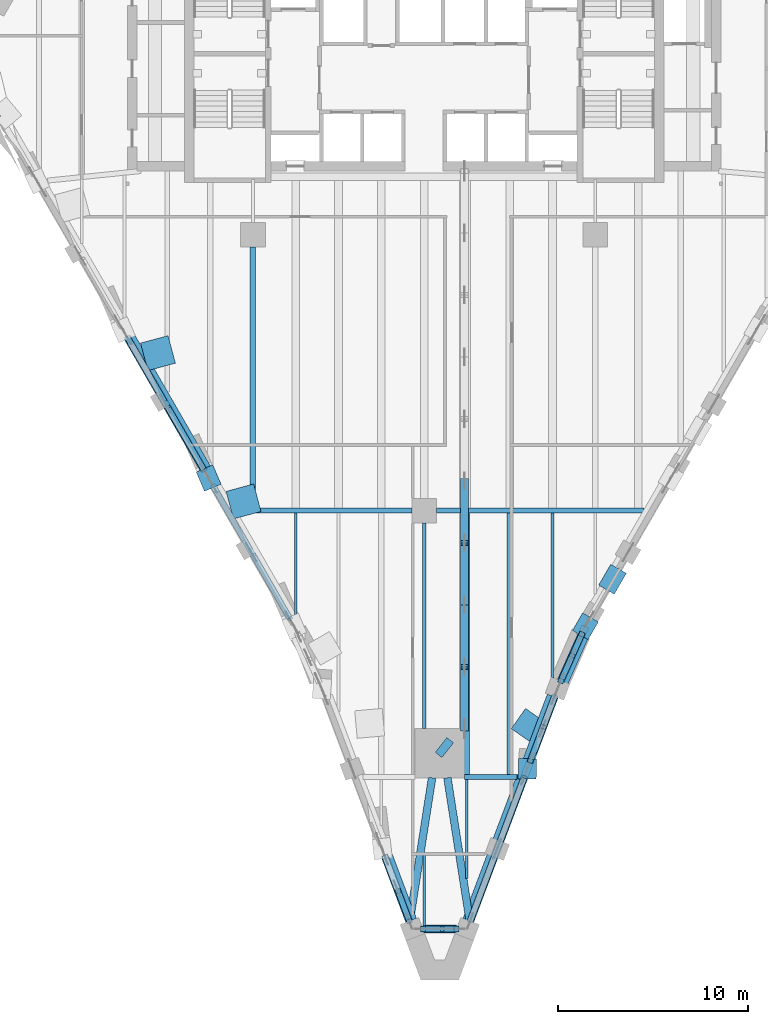
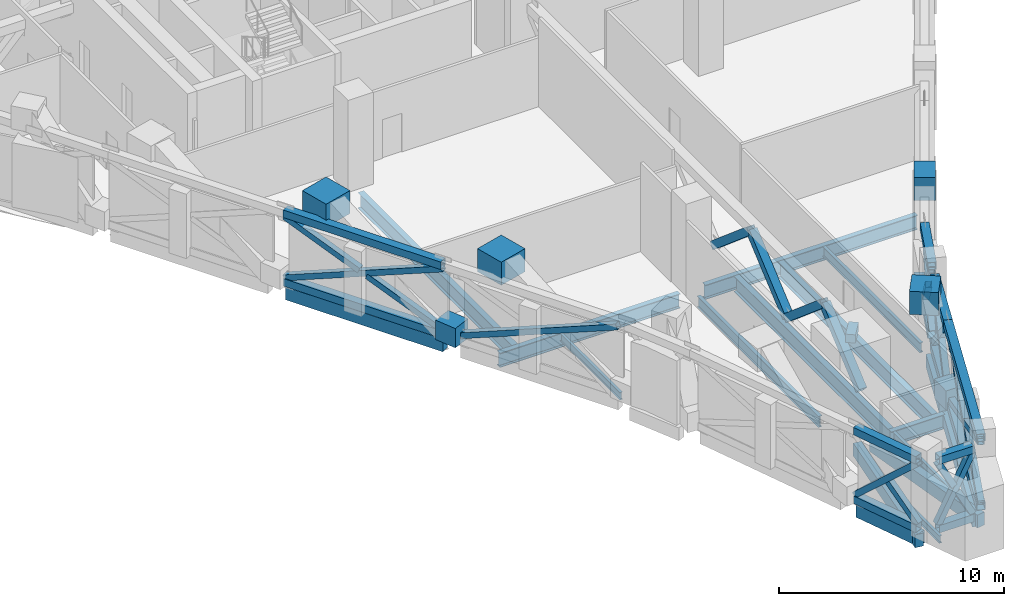
# One storey, part 2 of 22: 34 members, 26 beams.
"""IFC4 building model written with IfcOpenShell, lengths in metres."""

from ifc_helpers import new_model, si_unit, direction, frame, origin, origin_2d, place, context, subcontext, project, spatial, rectangle, hollow_rectangle, i_section, extrude, material, material_profile, profile_set, type_object, element, save


model = new_model("IFC4")

# Units and contexts
model_context = context("Model", 3, precision=1e-05, world=origin(), true_north=direction((0.0, 1.0)))
body_context = subcontext(model_context, "Body", "Model", "MODEL_VIEW")
ifc_project = project(units=[si_unit("LENGTHUNIT", "METRE"), si_unit("AREAUNIT", "SQUARE_METRE"), si_unit("VOLUMEUNIT", "CUBIC_METRE"), si_unit("PLANEANGLEUNIT", "RADIAN"), si_unit("MASSUNIT", "GRAM", prefix="KILO")], contexts=[model_context])

# Site, building, storey
site_placement = place(None, origin())
site = spatial("IfcSite", under=ifc_project, at=site_placement, CompositionType="ELEMENT")
building_placement = place(site_placement, origin())
building = spatial("IfcBuilding", under=site, at=building_placement, Name="Calabash Gate Tower", CompositionType="ELEMENT")
storey_placement = place(building_placement, frame((0.0, 0.0, 191.39990234375)))
storey = spatial("IfcBuildingStorey", under=building, at=storey_placement, Name="L45", CompositionType="ELEMENT", Elevation=191.39990234375)

# Members
ifc_material_1 = material(Name="Steel ASTM A500 Gr C", Category="steel")
ifc_material_profile_1 = material_profile(ifc_material_1, hollow_rectangle(XDim=0.406494140625, YDim=0.406494140625, WallThickness=0.015869140625, at=origin_2d()))
ifc_profile_set_1 = profile_set([ifc_material_profile_1], Name="Steel ASTM A500 Gr C")
member_type_1 = type_object("IfcMemberType", Name="Belt truss chord HSS16X16X.625 ASTM A500 Gr C", PredefinedType="CHORD", material=ifc_profile_set_1)
for number, where, z_axis, x_axis, name in (
    (1, (-2.044921875, -30.204833984375, 0.203369140625), (0.351829371284, -0.936064150314, 0.0), (0.936064150314, 0.351829371284, 0.0), "Belt chord L45 16"),
    (2, (-2.044921875, -30.204833984375, 3.927001953125), (0.351829371284, -0.936064150314, 0.0), (0.936064150314, 0.351829371284, 0.0), "Belt chord L45 17"),
):
    element("IfcMember", number, at=place(storey_placement, frame(where, z_axis=z_axis, x_axis=x_axis)), inside=storey, type_object=member_type_1, Name=name, PredefinedType="CHORD", context=body_context, shape_type="SweptSolid", body=[
        extrude(hollow_rectangle(XDim=0.406494140625, YDim=0.406494140625, WallThickness=0.015869140625, at=origin_2d()), origin(), (0.0, 0.0, 1.0), 3.60009765625),
    ])
for number, where, z_axis, x_axis, name in (
    (3, (-0.05908203125, -33.99609375, 0.203369140625), (1.0, 0.0, 0.0), (0.0, 1.0, 0.0), "Belt chord L45 21"),
    (4, (-0.05908203125, -33.99609375, 3.927001953125), (1.0, 0.0, 0.0), (0.0, 1.0, 0.0), "Belt chord L45 22"),
):
    element("IfcMember", number, at=place(storey_placement, frame(where, z_axis=z_axis, x_axis=x_axis)), inside=storey, type_object=member_type_1, Name=name, PredefinedType="CHORD", context=body_context, shape_type="SweptSolid", body=[
        extrude(hollow_rectangle(XDim=0.406494140625, YDim=0.406494140625, WallThickness=0.015869140625, at=origin_2d()), origin(), (0.0, 0.0, 1.0), 1.761962890625),
    ])
member_1_placement = place(storey_placement, frame((2.422119140625, -33.57470703125, 0.203369140625), z_axis=(0.351810405793, 0.93607127847, 0.0), x_axis=(-0.93607127847, 0.351810405793, 0.0)))
element("IfcMember", 5, at=member_1_placement, inside=storey, type_object=member_type_1, Name="Belt chord L45 26", PredefinedType="CHORD", context=body_context, shape_type="SweptSolid", body=[
    extrude(hollow_rectangle(XDim=0.406494140625, YDim=0.406494140625, WallThickness=0.015869140625, at=origin_2d()), origin(), (0.0, 0.0, 1.0), 8.099853515625),
])
member_2_placement = place(storey_placement, frame((2.422119140625, -33.57470703125, 3.927001953125), z_axis=(0.351717458134, 0.936106206391, 0.0), x_axis=(-0.936106206391, 0.351717458134, 0.0)))
element("IfcMember", 6, at=member_2_placement, inside=storey, type_object=member_type_1, Name="Belt chord L45 27", PredefinedType="CHORD", context=body_context, shape_type="SweptSolid", body=[
    extrude(hollow_rectangle(XDim=0.406494140625, YDim=0.406494140625, WallThickness=0.015869140625, at=origin_2d()), origin(), (0.0, 0.0, 1.0), 9.007080078125),
])
for number, where, z_axis, x_axis, name in (
    (7, (5.58837890625, -25.150146484375, 0.203369140625), (0.351829371284, 0.936064150314, 0.0), (-0.936064150314, 0.351829371284, 0.0), "Belt chord L45 31"),
    (8, (5.58837890625, -25.150146484375, 3.927001953125), (0.351829371284, 0.936064150314, 0.0), (-0.936064150314, 0.351829371284, 0.0), "Belt chord L45 32"),
):
    element("IfcMember", number, at=place(storey_placement, frame(where, z_axis=z_axis, x_axis=x_axis)), inside=storey, type_object=member_type_1, Name=name, PredefinedType="CHORD", context=body_context, shape_type="SweptSolid", body=[
        extrude(hollow_rectangle(XDim=0.406494140625, YDim=0.406494140625, WallThickness=0.015869140625, at=origin_2d()), origin(), (0.0, 0.0, 1.0), 3.60009765625),
    ])
member_3_placement = place(storey_placement, frame((7.196533203125, -20.947265625, 0.203369140625), z_axis=(0.40658580968, 0.913612598078, 0.0), x_axis=(-0.913612598078, 0.40658580968, 0.0)))
element("IfcMember", 9, at=member_3_placement, inside=storey, type_object=member_type_1, Name="Belt chord L45 36", PredefinedType="CHORD", context=body_context, shape_type="SweptSolid", body=[
    extrude(hollow_rectangle(XDim=0.406494140625, YDim=0.406494140625, WallThickness=0.015869140625, at=origin_2d()), origin(), (0.0, 0.0, 1.0), 2.68359375),
])
member_4_placement = place(storey_placement, frame((7.196533203125, -20.947265625, 3.927001953125), z_axis=(0.406751385302, 0.913538893838, 0.0), x_axis=(-0.913538893838, 0.406751385302, 0.0)))
element("IfcMember", 10, at=member_4_placement, inside=storey, type_object=member_type_1, Name="Belt chord L45 37", PredefinedType="CHORD", context=body_context, shape_type="SweptSolid", body=[
    extrude(hollow_rectangle(XDim=0.406494140625, YDim=0.406494140625, WallThickness=0.015869140625, at=origin_2d()), origin(), (0.0, 0.0, 1.0), 3.140869140625),
])
for number, where, z_axis, x_axis, name in (
    (11, (-15.60302734375, -2.883544921875, 0.203369140625), (0.500012932018, -0.866017937352, 0.0), (0.866017937352, 0.500012932018, 0.0), "Belt chord L45 101"),
    (12, (-15.60302734375, -2.883544921875, 3.927001953125), (0.500012932018, -0.866017937352, 0.0), (0.866017937352, 0.500012932018, 0.0), "Belt chord L45 102"),
):
    element("IfcMember", number, at=place(storey_placement, frame(where, z_axis=z_axis, x_axis=x_axis)), inside=storey, type_object=member_type_1, Name=name, PredefinedType="CHORD", context=body_context, shape_type="SweptSolid", body=[
        extrude(hollow_rectangle(XDim=0.406494140625, YDim=0.406494140625, WallThickness=0.015869140625, at=origin_2d()), origin(), (0.0, 0.0, 1.0), 8.099853515625),
    ])
ifc_material_2 = material(Name="Steel ASTM A500 Gr C", Category="steel")
ifc_material_profile_2 = material_profile(ifc_material_2, hollow_rectangle(XDim=0.3046875, YDim=0.3046875, WallThickness=0.0126953125, at=origin_2d()))
ifc_profile_set_2 = profile_set([ifc_material_profile_2], Name="Steel ASTM A500 Gr C")
member_type_2 = type_object("IfcMemberType", Name="Belt truss diagonal HSS12X12X.500 ASTM A500 Gr C", PredefinedType="BRACE", material=ifc_profile_set_2)
member_5_placement = place(storey_placement, frame((-11.10302734375, -10.677734375, 0.406494140625), z_axis=(0.462704041468, -0.801427163994, 0.378971596325), x_axis=(0.866025472755, 0.499999880539, 0.0)))
element("IfcMember", 13, at=member_5_placement, inside=storey, type_object=member_type_2, Name="Belt diagonal L45 3", PredefinedType="BRACE", context=body_context, shape_type="SweptSolid", body=[
    extrude(hollow_rectangle(XDim=0.3046875, YDim=0.3046875, WallThickness=0.0126953125, at=origin_2d()), origin(), (0.0, 0.0, 1.0), 8.7529296875),
])
member_6_placement = place(storey_placement, frame((-2.044921875, -30.204833984375, 0.406494140625), z_axis=(0.258739529961, -0.688392777959, 0.677620276326), x_axis=(0.936064150314, 0.351829371284, 0.0)))
element("IfcMember", 14, at=member_6_placement, inside=storey, type_object=member_type_2, Name="Belt diagonal L45 18", PredefinedType="BRACE", context=body_context, shape_type="SweptSolid", body=[
    extrude(hollow_rectangle(XDim=0.3046875, YDim=0.3046875, WallThickness=0.0126953125, at=origin_2d()), origin(), (0.0, 0.0, 1.0), 4.895263671875),
])
member_7_placement = place(storey_placement, frame((-1.3720703125, -31.9951171875, 1.96142578125), z_axis=(0.258753151157, -0.688377009862, -0.677631093634), x_axis=(0.936055395939, 0.351852661967, 0.0)))
element("IfcMember", 15, at=member_7_placement, inside=storey, type_object=member_type_2, Name="Belt diagonal (split) L45 20 half 2 of 2", PredefinedType="BRACE", context=body_context, shape_type="SweptSolid", body=[
    extrude(hollow_rectangle(XDim=0.3046875, YDim=0.3046875, WallThickness=0.0126953125, at=origin_2d()), origin(), (0.0, 0.0, 1.0), 2.294677734375),
])
member_8_placement = place(storey_placement, frame((-0.05908203125, -33.99609375, 0.406494140625), z_axis=(0.46909978011, 0.0, 0.883145172835), x_axis=(0.0, 1.0, 0.0)))
element("IfcMember", 16, at=member_8_placement, inside=storey, type_object=member_type_2, Name="Belt diagonal L45 23", PredefinedType="BRACE", context=body_context, shape_type="SweptSolid", body=[
    extrude(hollow_rectangle(XDim=0.3046875, YDim=0.3046875, WallThickness=0.0126953125, at=origin_2d()), origin(), (0.0, 0.0, 1.0), 3.756103515625),
])
for number, where, z_axis, x_axis, name in (
    (17, (-0.05908203125, -33.99609375, 3.7236328125), (0.469099027282, 0.0, -0.883145572713), (0.0, 1.0, 0.0), "Belt diagonal (split) L45 24 half 1 of 2"),
    (18, (0.908203125, -33.99609375, 1.902587890625), (0.469099027282, 0.0, -0.883145572713), (0.0, 1.0, 0.0), "Belt diagonal (split) L45 25 half 2 of 2"),
):
    element("IfcMember", number, at=place(storey_placement, frame(where, z_axis=z_axis, x_axis=x_axis)), inside=storey, type_object=member_type_2, Name=name, PredefinedType="BRACE", context=body_context, shape_type="SweptSolid", body=[
        extrude(hollow_rectangle(XDim=0.3046875, YDim=0.3046875, WallThickness=0.0126953125, at=origin_2d()), origin(), (0.0, 0.0, 1.0), 1.694091796875),
    ])
member_9_placement = place(storey_placement, frame((2.422119140625, -33.57470703125, 0.406494140625), z_axis=(0.325566795017, 0.866244207167, 0.378981840636), x_axis=(-0.93607127847, 0.351810405793, 0.0)))
element("IfcMember", 19, at=member_9_placement, inside=storey, type_object=member_type_2, Name="Belt diagonal L45 28", PredefinedType="BRACE", context=body_context, shape_type="SweptSolid", body=[
    extrude(hollow_rectangle(XDim=0.3046875, YDim=0.3046875, WallThickness=0.0126953125, at=origin_2d()), origin(), (0.0, 0.0, 1.0), 8.752685546875),
])
for number, where, z_axis, x_axis, name in (
    (20, (2.422119140625, -33.57470703125, 3.7236328125), (0.325556107946, 0.866251620078, -0.378974077334), (-0.936076072988, 0.351797648627, 0.0), "Belt diagonal (split) L45 29 half 1 of 2"),
    (21, (3.917724609375, -29.595458984375, 1.982666015625), (0.325556107946, 0.866251620078, -0.378974077334), (-0.936076072988, 0.351797648627, 0.0), "Belt diagonal (split) L45 30 half 2 of 2"),
):
    element("IfcMember", number, at=place(storey_placement, frame(where, z_axis=z_axis, x_axis=x_axis)), inside=storey, type_object=member_type_2, Name=name, PredefinedType="BRACE", context=body_context, shape_type="SweptSolid", body=[
        extrude(hollow_rectangle(XDim=0.3046875, YDim=0.3046875, WallThickness=0.0126953125, at=origin_2d()), origin(), (0.0, 0.0, 1.0), 4.158935546875),
    ])
member_10_placement = place(storey_placement, frame((5.58837890625, -25.150146484375, 0.406494140625), z_axis=(0.258739529961, 0.688392777959, 0.677620276326), x_axis=(-0.936064150314, 0.351829371284, 0.0)))
element("IfcMember", 22, at=member_10_placement, inside=storey, type_object=member_type_2, Name="Belt diagonal L45 33", PredefinedType="BRACE", context=body_context, shape_type="SweptSolid", body=[
    extrude(hollow_rectangle(XDim=0.3046875, YDim=0.3046875, WallThickness=0.0126953125, at=origin_2d()), origin(), (0.0, 0.0, 1.0), 4.895263671875),
])
for number, where, z_axis, x_axis, name in (
    (23, (5.58837890625, -25.150146484375, 3.7236328125), (0.258753151157, 0.688377009862, -0.677631093634), (-0.936055395939, 0.351852661967, 0.0), "Belt diagonal (split) L45 34 half 1 of 2"),
    (24, (6.26123046875, -23.35986328125, 1.96142578125), (0.258753151157, 0.688377009862, -0.677631093634), (-0.936055395939, 0.351852661967, 0.0), "Belt diagonal (split) L45 35 half 2 of 2"),
):
    element("IfcMember", number, at=place(storey_placement, frame(where, z_axis=z_axis, x_axis=x_axis)), inside=storey, type_object=member_type_2, Name=name, PredefinedType="BRACE", context=body_context, shape_type="SweptSolid", body=[
        extrude(hollow_rectangle(XDim=0.3046875, YDim=0.3046875, WallThickness=0.0126953125, at=origin_2d()), origin(), (0.0, 0.0, 1.0), 2.294677734375),
    ])
member_11_placement = place(storey_placement, frame((7.196533203125, -20.947265625, 0.406494140625), z_axis=(0.255718064838, 0.574607475297, 0.777453870431), x_axis=(-0.913612598078, 0.40658580968, 0.0)))
element("IfcMember", 25, at=member_11_placement, inside=storey, type_object=member_type_2, Name="Belt diagonal L45 38", PredefinedType="BRACE", context=body_context, shape_type="SweptSolid", body=[
    extrude(hollow_rectangle(XDim=0.3046875, YDim=0.3046875, WallThickness=0.0126953125, at=origin_2d()), origin(), (0.0, 0.0, 1.0), 4.2666015625),
])
member_12_placement = place(storey_placement, frame((7.196533203125, -20.947265625, 3.7236328125), z_axis=(0.255812004266, 0.574589318463, -0.777436385553), x_axis=(-0.913552335617, 0.406721194542, 0.0)))
element("IfcMember", 26, at=member_12_placement, inside=storey, type_object=member_type_2, Name="Belt diagonal (split) L45 39 half 1 of 2", PredefinedType="BRACE", context=body_context, shape_type="SweptSolid", body=[
    extrude(hollow_rectangle(XDim=0.3046875, YDim=0.3046875, WallThickness=0.0126953125, at=origin_2d()), origin(), (0.0, 0.0, 1.0), 1.9775390625),
])
member_13_placement = place(storey_placement, frame((7.781982421875, -19.6318359375, 1.94384765625), z_axis=(0.255696616695, 0.574607462144, -0.777460934491), x_axis=(-0.913625261966, 0.406557352285, 0.0)))
element("IfcMember", 27, at=member_13_placement, inside=storey, type_object=member_type_2, Name="Belt diagonal (split) L45 40 half 2 of 2", PredefinedType="BRACE", context=body_context, shape_type="SweptSolid", body=[
    extrude(hollow_rectangle(XDim=0.3046875, YDim=0.3046875, WallThickness=0.0126953125, at=origin_2d()), origin(), (0.0, 0.0, 1.0), 1.977294921875),
])
member_14_placement = place(storey_placement, frame((-15.60302734375, -2.883544921875, 0.406494140625), z_axis=(0.462714384728, -0.801417186208, 0.378980067834), x_axis=(0.866017937352, 0.500012932018, 0.0)))
element("IfcMember", 28, at=member_14_placement, inside=storey, type_object=member_type_2, Name="Belt diagonal L45 103", PredefinedType="BRACE", context=body_context, shape_type="SweptSolid", body=[
    extrude(hollow_rectangle(XDim=0.3046875, YDim=0.3046875, WallThickness=0.0126953125, at=origin_2d()), origin(), (0.0, 0.0, 1.0), 8.752685546875),
])
for number, where, z_axis, x_axis, name in (
    (29, (-15.60302734375, -2.883544921875, 3.7236328125), (0.462725403696, -0.801419502304, -0.378961715878), (0.866013407032, 0.50002077841, 0.0), "Belt diagonal (split) L45 104 half 1 of 2"),
    (30, (-13.4775390625, -6.56494140625, 1.982666015625), (0.462725403696, -0.801419502304, -0.378961715878), (0.866013407032, 0.50002077841, 0.0), "Belt diagonal (split) L45 105 half 2 of 2"),
):
    element("IfcMember", number, at=place(storey_placement, frame(where, z_axis=z_axis, x_axis=x_axis)), inside=storey, type_object=member_type_2, Name=name, PredefinedType="BRACE", context=body_context, shape_type="SweptSolid", body=[
        extrude(hollow_rectangle(XDim=0.3046875, YDim=0.3046875, WallThickness=0.0126953125, at=origin_2d()), origin(), (0.0, 0.0, 1.0), 4.1591796875),
    ])

# Beams
ifc_material_3 = material(Name="Concrete C80/95", Category="concrete")
ifc_material_profile_3 = material_profile(ifc_material_3, rectangle(XDim=0.449951171875, YDim=0.449951171875, at=origin_2d()))
ifc_profile_set_3 = profile_set([ifc_material_profile_3], Name="Concrete C80/95")
beam_type_1 = type_object("IfcBeamType", Name="Column offset link RC 450x450 Concrete C80/95", PredefinedType="BEAM", material=ifc_profile_set_3)
beam_1_placement = place(storey_placement, frame((0.760009765625, -24.841064453125, 4.60400390625), z_axis=(0.61826800742, 0.785967347287, 0.0), x_axis=(-0.785967347287, 0.61826800742, 0.0)))
element("IfcBeam", 31, at=beam_1_placement, inside=storey, type_object=beam_type_1, Name="Column offset link L45 S", PredefinedType="BEAM", context=body_context, shape_type="SweptSolid", body=[
    extrude(rectangle(XDim=0.449951171875, YDim=0.449951171875, at=origin_2d()), origin(), (0.0, 0.0, 1.0), 0.989990234375),
])
ifc_material_4 = material(Name="Concrete C50/60", Category="concrete")
ifc_material_profile_4 = material_profile(ifc_material_4, rectangle(XDim=0.39990234375, YDim=0.699951171875, at=origin_2d()))
ifc_profile_set_4 = profile_set([ifc_material_profile_4], Name="Concrete C50/60")
beam_type_2 = type_object("IfcBeamType", Name="Edge beam RC 400x700 Concrete C50/60", PredefinedType="BEAM", material=ifc_profile_set_4)
beam_2_placement = place(storey_placement, frame((-15.429931640625, -2.782958984375, -0.52001953125), z_axis=(0.499986829629, -0.866033007568, 0.0), x_axis=(0.866033007568, 0.499986829629, 0.0)))
element("IfcBeam", 32, at=beam_2_placement, inside=storey, type_object=beam_type_2, Name="Edge beam L45 1", PredefinedType="BEAM", context=body_context, shape_type="SweptSolid", body=[
    extrude(rectangle(XDim=0.39990234375, YDim=0.699951171875, at=origin_2d()), origin(), (0.0, 0.0, 1.0), 8.100341796875),
])
beam_3_placement = place(storey_placement, frame((-1.85791015625, -30.133056640625, -0.52001953125), z_axis=(0.351799464193, -0.936075390657, 0.0), x_axis=(0.936075390657, 0.351799464193, 0.0)))
element("IfcBeam", 33, at=beam_3_placement, inside=storey, type_object=beam_type_2, Name="Edge beam L45 5", PredefinedType="BEAM", context=body_context, shape_type="SweptSolid", body=[
    extrude(rectangle(XDim=0.39990234375, YDim=0.699951171875, at=origin_2d()), origin(), (0.0, 0.0, 1.0), 3.60107421875),
])
for number, where, z_axis, x_axis, name in (
    (34, (-0.760009765625, -33.597900390625, -0.52001953125), (0.15427074215, 0.988028611993, 0.0), (-0.988028611993, 0.15427074215, 0.0), "Edge beam L45 6"),
    (35, (1.22412109375, -26.041015625, -0.52001953125), (0.15427074215, -0.988028611993, 0.0), (0.988028611993, 0.15427074215, 0.0), "Edge beam L45 7"),
):
    element("IfcBeam", number, at=place(storey_placement, frame(where, z_axis=z_axis, x_axis=x_axis)), inside=storey, type_object=beam_type_2, Name=name, PredefinedType="BEAM", context=body_context, shape_type="SweptSolid", body=[
        extrude(rectangle(XDim=0.39990234375, YDim=0.699951171875, at=origin_2d()), origin(), (0.0, 0.0, 1.0), 7.6484375),
    ])
beam_4_placement = place(storey_placement, frame((2.237060546875, -33.50390625, -0.52001953125), z_axis=(0.351846743102, 0.936057620752, 0.0), x_axis=(-0.936057620752, 0.351846743102, 0.0)))
element("IfcBeam", 36, at=beam_4_placement, inside=storey, type_object=beam_type_2, Name="Edge beam L45 8", PredefinedType="BEAM", context=body_context, shape_type="SweptSolid", body=[
    extrude(rectangle(XDim=0.39990234375, YDim=0.699951171875, at=origin_2d()), origin(), (0.0, 0.0, 1.0), 8.099609375),
])
beam_5_placement = place(storey_placement, frame((5.40087890625, -25.080078125, -0.52001953125), z_axis=(0.351925867441, 0.93602787556, 0.0), x_axis=(-0.93602787556, 0.351925867441, 0.0)))
element("IfcBeam", 37, at=beam_5_placement, inside=storey, type_object=beam_type_2, Name="Edge beam L45 9", PredefinedType="BEAM", context=body_context, shape_type="SweptSolid", body=[
    extrude(rectangle(XDim=0.39990234375, YDim=0.699951171875, at=origin_2d()), origin(), (0.0, 0.0, 1.0), 3.600341796875),
])
beam_6_placement = place(storey_placement, frame((7.376953125, -21.0380859375, -0.52001953125), z_axis=(0.405809560712, 0.9139576579, 0.0), x_axis=(-0.9139576579, 0.405809560712, 0.0)))
element("IfcBeam", 38, at=beam_6_placement, inside=storey, type_object=beam_type_2, Name="Edge beam L45 10", PredefinedType="BEAM", context=body_context, shape_type="SweptSolid", body=[
    extrude(rectangle(XDim=0.39990234375, YDim=0.699951171875, at=origin_2d()), origin(), (0.0, 0.0, 1.0), 2.686279296875),
])
ifc_material_5 = material(Name="Steel ASTM A992 Gr50", Category="steel")
ifc_material_profile_5 = material_profile(ifc_material_5, i_section(OverallWidth=0.1396484375, OverallDepth=0.398681640625, WebThickness=0.00634765625, FlangeThickness=0.0087890625, FilletRadius=0.01025390625, at=origin_2d()))
ifc_profile_set_5 = profile_set([ifc_material_profile_5], Name="Steel ASTM A992 Gr50")
beam_type_3 = type_object("IfcBeamType", Name="Floor beam W16x26 ASTM A992 Gr50", PredefinedType="BEAM", material=ifc_profile_set_5)
beam_7_placement = place(storey_placement, frame((-6.75, -17.448974609375, -0.368896484375), z_axis=(0.0, 1.0, 0.0), x_axis=(-1.0, 0.0, 0.0)))
element("IfcBeam", 39, at=beam_7_placement, inside=storey, type_object=beam_type_3, Name="Floor beam L45 15", PredefinedType="BEAM", context=body_context, shape_type="SweptSolid", body=[
    extrude(i_section(OverallWidth=0.1396484375, OverallDepth=0.398681640625, WebThickness=0.00634765625, FlangeThickness=0.0087890625, FilletRadius=0.01025390625, at=origin_2d()), origin(), (0.0, 0.0, 1.0), 5.31591796875),
])
beam_8_placement = place(storey_placement, frame((0.0, -34.18310546875, -0.368896484375), z_axis=(0.0, 1.0, 0.0), x_axis=(-1.0, 0.0, 0.0)))
element("IfcBeam", 40, at=beam_8_placement, inside=storey, type_object=beam_type_3, Name="Floor beam L45 22", PredefinedType="BEAM", context=body_context, shape_type="SweptSolid", body=[
    extrude(i_section(OverallWidth=0.1396484375, OverallDepth=0.398681640625, WebThickness=0.00634765625, FlangeThickness=0.0087890625, FilletRadius=0.01025390625, at=origin_2d()), origin(), (0.0, 0.0, 1.0), 4.17919921875),
])
beam_9_placement = place(storey_placement, frame((2.25, -31.337890625, -0.368896484375), z_axis=(0.0, 1.0, 0.0), x_axis=(-1.0, 0.0, 0.0)))
element("IfcBeam", 41, at=beam_9_placement, inside=storey, type_object=beam_type_3, Name="Floor beam L45 25", PredefinedType="BEAM", context=body_context, shape_type="SweptSolid", body=[
    extrude(i_section(OverallWidth=0.1396484375, OverallDepth=0.398681640625, WebThickness=0.00634765625, FlangeThickness=0.0087890625, FilletRadius=0.01025390625, at=origin_2d()), origin(), (0.0, 0.0, 1.0), 5.204833984375),
])
ifc_material_6 = material(Name="Steel ASTM A992 Gr50", Category="steel")
ifc_material_profile_6 = material_profile(ifc_material_6, i_section(OverallWidth=0.166015625, OverallDepth=0.5283203125, WebThickness=0.009765625, FlangeThickness=0.013671875, FilletRadius=0.0126953125, at=origin_2d()))
ifc_profile_set_6 = profile_set([ifc_material_profile_6], Name="Steel ASTM A992 Gr50")
beam_type_4 = type_object("IfcBeamType", Name="Floor beam W21x50 ASTM A992 Gr50", PredefinedType="BEAM", material=ifc_profile_set_6)
beam_10_placement = place(storey_placement, frame((6.75, -20.791015625, -0.433837890625), z_axis=(0.0, 1.0, 0.0), x_axis=(-1.0, 0.0, 0.0)))
element("IfcBeam", 42, at=beam_10_placement, inside=storey, type_object=beam_type_4, Name="Floor beam L45 30", PredefinedType="BEAM", context=body_context, shape_type="SweptSolid", body=[
    extrude(i_section(OverallWidth=0.166015625, OverallDepth=0.5283203125, WebThickness=0.009765625, FlangeThickness=0.013671875, FilletRadius=0.0126953125, at=origin_2d()), origin(), (0.0, 0.0, 1.0), 8.657958984375),
])
ifc_material_7 = material(Name="Steel ASTM A992 Gr50", Category="steel")
ifc_material_profile_7 = material_profile(ifc_material_7, i_section(OverallWidth=0.1787109375, OverallDepth=0.60205078125, WebThickness=0.010986328125, FlangeThickness=0.014892578125, FilletRadius=0.0126953125, at=origin_2d()))
ifc_profile_set_7 = profile_set([ifc_material_profile_7], Name="Steel ASTM A992 Gr50")
beam_type_5 = type_object("IfcBeamType", Name="Floor beam W24x62 ASTM A992 Gr50", PredefinedType="BEAM", material=ifc_profile_set_7)
beam_11_placement = place(storey_placement, frame((0.0, -23.462890625, -0.470947265625), z_axis=(0.0, 1.0, 0.0), x_axis=(-1.0, 0.0, 0.0)))
element("IfcBeam", 43, at=beam_11_placement, inside=storey, type_object=beam_type_5, Name="Floor beam L45 23", PredefinedType="BEAM", context=body_context, shape_type="SweptSolid", body=[
    extrude(i_section(OverallWidth=0.1787109375, OverallDepth=0.60205078125, WebThickness=0.010986328125, FlangeThickness=0.014892578125, FilletRadius=0.0126953125, at=origin_2d()), origin(), (0.0, 0.0, 1.0), 10.81298828125),
])
ifc_material_8 = material(Name="Steel ASTM A992 Gr50", Category="steel")
ifc_material_profile_8 = material_profile(ifc_material_8, i_section(OverallWidth=0.2919921875, OverallDepth=0.845703125, WebThickness=0.015380859375, FlangeThickness=0.0244140625, FilletRadius=0.017822265625, at=origin_2d()))
ifc_profile_set_8 = profile_set([ifc_material_profile_8], Name="Steel ASTM A992 Gr50")
beam_type_6 = type_object("IfcBeamType", Name="Floor beam W33x141 ASTM A992 Gr50", PredefinedType="BEAM", material=ifc_profile_set_8)
beam_12_placement = place(storey_placement, frame((-9.0, -11.866943359375, -0.593017578125), z_axis=(0.0, 1.0, 0.0), x_axis=(-1.0, 0.0, 0.0)))
element("IfcBeam", 44, at=beam_12_placement, inside=storey, type_object=beam_type_6, Name="Floor beam L45 13", PredefinedType="BEAM", context=body_context, shape_type="SweptSolid", body=[
    extrude(i_section(OverallWidth=0.2919921875, OverallDepth=0.845703125, WebThickness=0.015380859375, FlangeThickness=0.0244140625, FilletRadius=0.017822265625, at=origin_2d()), origin(), (0.0, 0.0, 1.0), 13.717041015625),
])
for number, where, z_axis, x_axis, name in (
    (45, (2.25, -25.866943359375, -0.593017578125), (0.0, 1.0, 0.0), (-1.0, 0.0, 0.0), "Floor beam L45 26"),
    (46, (4.5, -25.866943359375, -0.593017578125), (0.0, 1.0, 0.0), (-1.0, 0.0, 0.0), "Floor beam L45 28"),
):
    element("IfcBeam", number, at=place(storey_placement, frame(where, z_axis=z_axis, x_axis=x_axis)), inside=storey, type_object=beam_type_6, Name=name, PredefinedType="BEAM", context=body_context, shape_type="SweptSolid", body=[
        extrude(i_section(OverallWidth=0.2919921875, OverallDepth=0.845703125, WebThickness=0.015380859375, FlangeThickness=0.0244140625, FilletRadius=0.017822265625, at=origin_2d()), origin(), (0.0, 0.0, 1.0), 13.73388671875),
    ])
ifc_material_9 = material(Name="Steel ASTM A992 Gr50", Category="steel")
ifc_material_profile_9 = material_profile(ifc_material_9, i_section(OverallWidth=0.2666015625, OverallDepth=0.77978515625, WebThickness=0.0166015625, FlangeThickness=0.030029296875, FilletRadius=0.0166015625, at=origin_2d()))
ifc_profile_set_9 = profile_set([ifc_material_profile_9], Name="Steel ASTM A992 Gr50")
beam_type_7 = type_object("IfcBeamType", Name="Girder W30x148 ASTM A992 Gr50", PredefinedType="BEAM", material=ifc_profile_set_9)
beam_13_placement = place(storey_placement, frame((-9.909912109375, -12.0, -0.559814453125), z_axis=(1.0, 0.0, 0.0), x_axis=(0.0, 1.0, 0.0)))
element("IfcBeam", 47, at=beam_13_placement, inside=storey, type_object=beam_type_7, Name="Girder L45 4", PredefinedType="BEAM", context=body_context, shape_type="SweptSolid", body=[
    extrude(i_section(OverallWidth=0.2666015625, OverallDepth=0.77978515625, WebThickness=0.0166015625, FlangeThickness=0.030029296875, FilletRadius=0.0166015625, at=origin_2d()), origin(), (0.0, 0.0, 1.0), 9.260009765625),
])
beam_14_placement = place(storey_placement, frame((0.64990234375, -12.0, -0.559814453125), z_axis=(1.0, 0.0, 0.0), x_axis=(0.0, 1.0, 0.0)))
element("IfcBeam", 48, at=beam_14_placement, inside=storey, type_object=beam_type_7, Name="Girder L45 5", PredefinedType="BEAM", context=body_context, shape_type="SweptSolid", body=[
    extrude(i_section(OverallWidth=0.2666015625, OverallDepth=0.77978515625, WebThickness=0.0166015625, FlangeThickness=0.030029296875, FilletRadius=0.0166015625, at=origin_2d()), origin(), (0.0, 0.0, 1.0), 10.903076171875),
])
beam_15_placement = place(storey_placement, frame((2.1220703125, -26.0, -0.559814453125), z_axis=(1.0, 0.0, 0.0), x_axis=(0.0, 1.0, 0.0)))
element("IfcBeam", 49, at=beam_15_placement, inside=storey, type_object=beam_type_7, Name="Girder L45 7", PredefinedType="BEAM", context=body_context, shape_type="SweptSolid", body=[
    extrude(i_section(OverallWidth=0.2666015625, OverallDepth=0.77978515625, WebThickness=0.0166015625, FlangeThickness=0.030029296875, FilletRadius=0.0166015625, at=origin_2d()), origin(), (0.0, 0.0, 1.0), 2.751953125),
])

# Members
ifc_material_10 = material(Name="Steel ASTM A500 Gr C", Category="steel")
ifc_material_profile_10 = material_profile(ifc_material_10, hollow_rectangle(XDim=0.406494140625, YDim=0.406494140625, WallThickness=0.015869140625, at=origin_2d()))
ifc_profile_set_10 = profile_set([ifc_material_profile_10], Name="Steel ASTM A500 Gr C")
member_type_3 = type_object("IfcMemberType", Name="Outrigger diagonal HSS16X16X.625 ASTM A500 Gr C", PredefinedType="BRACE", material=ifc_profile_set_10)
for number, where, z_axis, x_axis, name in (
    (50, (2.121826171875, -23.462646484375, 0.508056640625), (0.0, 0.762466417764, 0.64702779058), (-1.0, 0.0, 0.0), "Outrigger diagonal L45 S"),
    (51, (2.121826171875, -20.205322265625, 3.272216796875), (0.0, 0.762466417764, -0.64702779058), (-1.0, 0.0, 0.0), "Outrigger diagonal L45 S"),
    (52, (2.121826171875, -16.947998046875, 0.508056640625), (0.0, 0.762442491546, 0.647055984506), (-1.0, 0.0, 0.0), "Outrigger diagonal L45 S"),
    (53, (2.121826171875, -13.69091796875, 3.272216796875), (0.0, 0.762466417764, -0.64702779058), (-1.0, 0.0, 0.0), "Outrigger diagonal L45 S"),
):
    element("IfcMember", number, at=place(storey_placement, frame(where, z_axis=z_axis, x_axis=x_axis)), inside=storey, type_object=member_type_3, Name=name, PredefinedType="BRACE", context=body_context, shape_type="SweptSolid", body=[
        extrude(hollow_rectangle(XDim=0.406494140625, YDim=0.406494140625, WallThickness=0.015869140625, at=origin_2d()), origin(), (0.0, 0.0, 1.0), 4.27197265625),
    ])

# Beams
ifc_material_11 = material(Name="Concrete C60/75", Category="concrete")
ifc_material_profile_11 = material_profile(ifc_material_11, rectangle(XDim=1.300048828125, YDim=1.25, at=origin_2d()))
ifc_profile_set_11 = profile_set([ifc_material_profile_11], Name="Concrete C60/75")
beam_type_8 = type_object("IfcBeamType", Name="Transfer node RC 1300x1250 Concrete C60/75", PredefinedType="BEAM", material=ifc_profile_set_11)
beam_16_placement = place(storey_placement, frame((6.02099609375, -23.673095703125, 4.377197265625), z_axis=(-0.819355446882, 0.573285837663, 0.0), x_axis=(-0.573285837663, -0.819355446882, 0.0)))
element("IfcBeam", 54, at=beam_16_placement, inside=storey, type_object=beam_type_8, Name="Transfer node L45 head P08", PredefinedType="BEAM", context=body_context, shape_type="SweptSolid", body=[
    extrude(rectangle(XDim=1.300048828125, YDim=1.25, at=origin_2d()), origin(), (0.0, 0.0, 1.0), 1.2998046875),
])
ifc_material_12 = material(Name="Concrete C60/75", Category="concrete")
ifc_material_profile_12 = material_profile(ifc_material_12, rectangle(XDim=1.5, YDim=1.25, at=origin_2d()))
ifc_profile_set_12 = profile_set([ifc_material_profile_12], Name="Concrete C60/75")
beam_type_9 = type_object("IfcBeamType", Name="Transfer node RC 1500x1250 Concrete C60/75", PredefinedType="BEAM", material=ifc_profile_set_12)
beam_17_placement = place(storey_placement, frame((-13.26806640625, -3.52294921875, 4.377197265625), z_axis=(-0.965611045738, -0.259990977437, 0.0), x_axis=(0.259990977437, -0.965611045738, 0.0)))
element("IfcBeam", 55, at=beam_17_placement, inside=storey, type_object=beam_type_9, Name="Transfer node L45 head P01", PredefinedType="BEAM", context=body_context, shape_type="SweptSolid", body=[
    extrude(rectangle(XDim=1.5, YDim=1.25, at=origin_2d()), origin(), (0.0, 0.0, 1.0), 1.50048828125),
])
beam_18_placement = place(storey_placement, frame((-8.76806640625, -11.319091796875, 4.377197265625), z_axis=(-0.965977827048, -0.258624897587, 0.0), x_axis=(0.258624897587, -0.965977827048, 0.0)))
element("IfcBeam", 56, at=beam_18_placement, inside=storey, type_object=beam_type_9, Name="Transfer node L45 head P02", PredefinedType="BEAM", context=body_context, shape_type="SweptSolid", body=[
    extrude(rectangle(XDim=1.5, YDim=1.25, at=origin_2d()), origin(), (0.0, 0.0, 1.0), 1.5),
])
ifc_material_13 = material(Name="Concrete C60/75", Category="concrete")
ifc_material_profile_13 = material_profile(ifc_material_13, rectangle(XDim=0.949951171875, YDim=1.050048828125, at=origin_2d()))
ifc_profile_set_13 = profile_set([ifc_material_profile_13], Name="Concrete C60/75")
beam_type_10 = type_object("IfcBeamType", Name="Transfer node RC 950x1050 Concrete C60/75", PredefinedType="BEAM", material=ifc_profile_set_13)
beam_19_placement = place(storey_placement, frame((-11.548095703125, -9.778076171875, 0.527099609375), z_axis=(0.39581327176, -0.918331015429, 0.0), x_axis=(0.918331015429, 0.39581327176, 0.0)))
element("IfcBeam", 57, at=beam_19_placement, inside=storey, type_object=beam_type_10, Name="Transfer node L45 foot P01", PredefinedType="BEAM", context=body_context, shape_type="SweptSolid", body=[
    extrude(rectangle(XDim=0.949951171875, YDim=1.050048828125, at=origin_2d()), origin(), (0.0, 0.0, 1.0), 1.10400390625),
])
beam_20_placement = place(storey_placement, frame((5.4169921875, -26.10595703125, 0.527099609375), z_axis=(0.024433087489, 0.999701467557, 0.0), x_axis=(-0.999701467557, 0.024433087489, 0.0)))
element("IfcBeam", 58, at=beam_20_placement, inside=storey, type_object=beam_type_10, Name="Transfer node L45 foot P08", PredefinedType="BEAM", context=body_context, shape_type="SweptSolid", body=[
    extrude(rectangle(XDim=0.949951171875, YDim=1.050048828125, at=origin_2d()), origin(), (0.0, 0.0, 1.0), 1.069091796875),
])
beam_21_placement = place(storey_placement, frame((8.2099609375, -18.535888671875, 0.527099609375), z_axis=(0.501332672294, 0.865254616682, 0.0), x_axis=(-0.865254616682, 0.501332672294, 0.0)))
element("IfcBeam", 59, at=beam_21_placement, inside=storey, type_object=beam_type_10, Name="Transfer node L45 foot P09", PredefinedType="BEAM", context=body_context, shape_type="SweptSolid", body=[
    extrude(rectangle(XDim=0.949951171875, YDim=1.050048828125, at=origin_2d()), origin(), (0.0, 0.0, 1.0), 1.0712890625),
])
ifc_material_14 = material(Name="Concrete C60/75", Category="concrete")
ifc_material_profile_14 = material_profile(ifc_material_14, rectangle(XDim=0.949951171875, YDim=1.25, at=origin_2d()))
ifc_profile_set_14 = profile_set([ifc_material_profile_14], Name="Concrete C60/75")
beam_type_11 = type_object("IfcBeamType", Name="Transfer node RC 950x1250 Concrete C60/75", PredefinedType="BEAM", material=ifc_profile_set_14)
beam_22_placement = place(storey_placement, frame((9.5859375, -16.152099609375, 4.377197265625), z_axis=(0.500255167297, 0.865878032746, 0.0), x_axis=(-0.865878032746, 0.500255167297, 0.0)))
element("IfcBeam", 60, at=beam_22_placement, inside=storey, type_object=beam_type_11, Name="Transfer node L45 head P09", PredefinedType="BEAM", context=body_context, shape_type="SweptSolid", body=[
    extrude(rectangle(XDim=0.949951171875, YDim=1.25, at=origin_2d()), origin(), (0.0, 0.0, 1.0), 1.269287109375),
])

save(model, "model.ifc")
